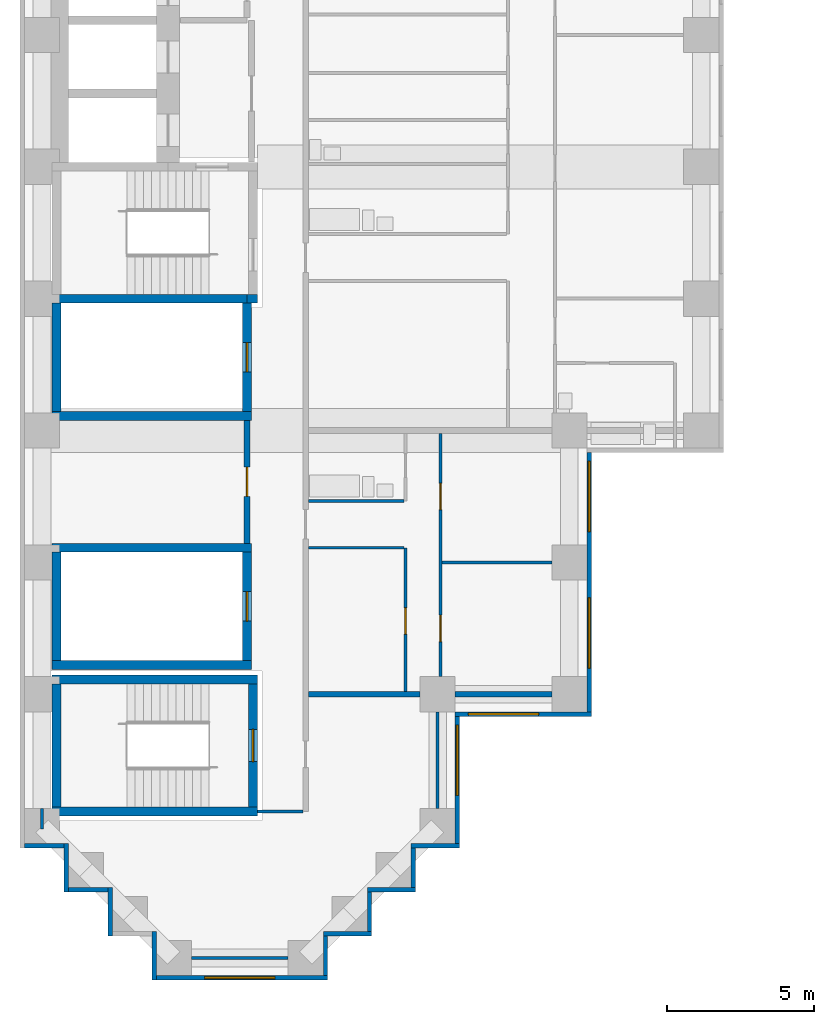
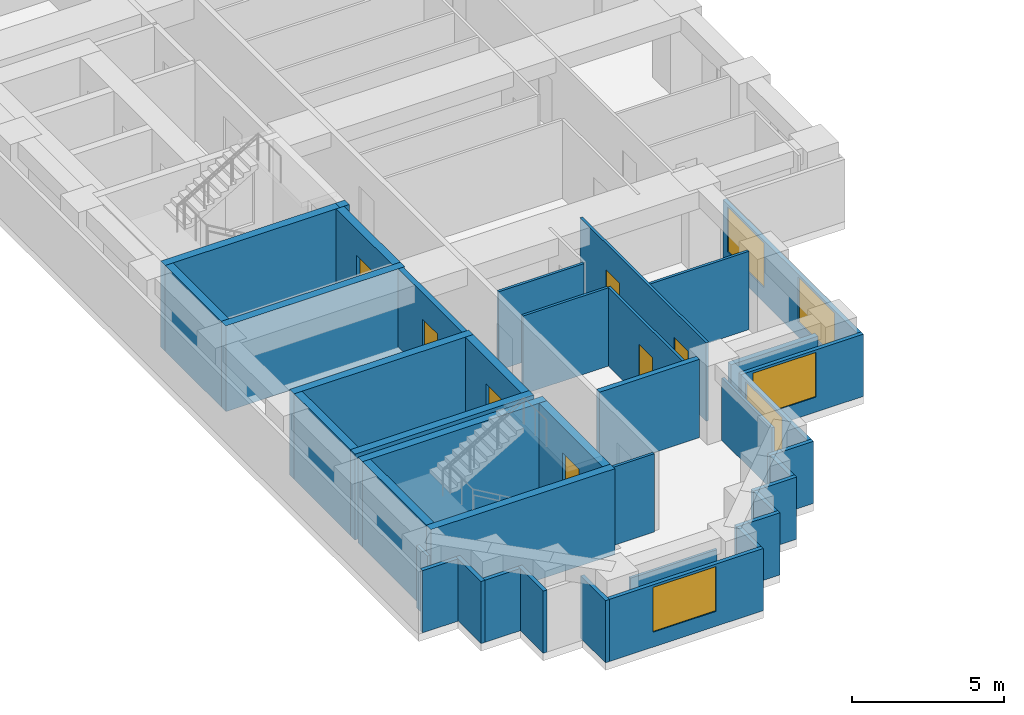
# One storey, part 2 of 13: 40 walls, 7 doors, 5 windows, 12 openings.
"""IFC4 building model written with IfcOpenShell, lengths in metres."""

from ifc_helpers import new_model, si_unit, direction, frame, frame_2d, origin, place, context, subcontext, project, spatial, rectangle, extrude, material, layer, layer_set, type_object, element, fill, save


model = new_model("IFC4")

# Units and contexts
model_context = context("Model", 3, precision=1e-05, world=origin(), true_north=direction((0.0, 1.0)))
body_context = subcontext(model_context, "Body", "Model", "MODEL_VIEW")
ifc_project = project(units=[si_unit("LENGTHUNIT", "METRE"), si_unit("AREAUNIT", "SQUARE_METRE"), si_unit("VOLUMEUNIT", "CUBIC_METRE"), si_unit("PLANEANGLEUNIT", "RADIAN"), si_unit("MASSUNIT", "GRAM", prefix="KILO")], contexts=[model_context])

# Site, building, storey
site_placement = place(None, origin())
site = spatial("IfcSite", under=ifc_project, at=site_placement, CompositionType="ELEMENT")
building_placement = place(site_placement, origin())
building = spatial("IfcBuilding", under=site, at=building_placement, Name="Firuza Court", CompositionType="ELEMENT")
storey_placement = place(building_placement, frame((0.0, 0.0, 104.60009765625)))
storey = spatial("IfcBuildingStorey", under=building, at=storey_placement, Name="L26", CompositionType="ELEMENT", Elevation=104.60009765625)

# Walls
ifc_material_1 = material(Name="Moisture-resistant gypsum board partition")
ifc_layer_1 = layer(ifc_material_1, 0.10009765625)
ifc_layer_set_1 = layer_set([ifc_layer_1], Name="Moisture-resistant gypsum board partition")
wall_type_1 = type_object("IfcWallType", Name="Bathroom partition 100", PredefinedType="PLUMBINGWALL", material=ifc_layer_set_1)
wall_1_placement = place(storey_placement, frame((9.10009765625, 15.60009765625, 0.0), z_axis=(0.0, 0.0, 1.0), x_axis=(1.0, 0.0, 0.0)))
element("IfcWall", 1, at=wall_1_placement, inside=storey, type_object=wall_type_1, Name="Bathroom partition 100 L26", PredefinedType="PLUMBINGWALL", context=body_context, shape_type="SweptSolid", body=[
    extrude(rectangle(XDim=3.25, YDim=0.10009765625, at=frame_2d((1.625, 0.0))), origin(), (0.0, 0.0, 1.0), 3.14990234375),
])
ifc_material_2 = material(Name="Concrete C60/75", Category="concrete")
ifc_layer_2 = layer(ifc_material_2, 0.300048828125)
ifc_layer_set_2 = layer_set([ifc_layer_2], Name="Concrete C60/75")
wall_type_2 = type_object("IfcWallType", Name="Core wall 300 C60/75", PredefinedType="SHEAR", material=ifc_layer_set_2)
for number, where, z_axis, x_axis, name in (
    (2, (0.35009765625, 5.0, -0.300048828125), (0.0, 0.0, 1.0), (1.0, 0.0, 0.0), "Core wall stair L26"),
    (3, (0.35009765625, 9.5, -0.300048828125), (0.0, 0.0, 1.0), (1.0, 0.0, 0.0), "Core wall stair L26"),
):
    element("IfcWall", number, at=place(storey_placement, frame(where, z_axis=z_axis, x_axis=x_axis)), inside=storey, type_object=wall_type_2, Name=name, PredefinedType="SHEAR", context=body_context, shape_type="SweptSolid", body=[
        extrude(rectangle(XDim=7.0, YDim=0.300048828125, at=frame_2d((3.5, 0.0))), origin(), (0.0, 0.0, 1.0), 3.449951171875),
    ])
for number, where, z_axis, x_axis, name in (
    (4, (0.35009765625, 10.0, -0.300048828125), (0.0, 0.0, 1.0), (1.0, 0.0, 0.0), "Core wall riser L26"),
    (5, (0.35009765625, 14.0, -0.300048828125), (0.0, 0.0, 1.0), (1.0, 0.0, 0.0), "Core wall riser L26"),
    (6, (0.35009765625, 18.5, -0.300048828125), (0.0, 0.0, 1.0), (1.0, 0.0, 0.0), "Core wall riser L26"),
):
    element("IfcWall", number, at=place(storey_placement, frame(where, z_axis=z_axis, x_axis=x_axis)), inside=storey, type_object=wall_type_2, Name=name, PredefinedType="SHEAR", context=body_context, shape_type="SweptSolid", body=[
        extrude(rectangle(XDim=6.7998046875, YDim=0.300048828125, at=frame_2d((3.39990234375, 0.0))), origin(), (0.0, 0.0, 1.0), 3.449951171875),
    ])
wall_2_placement = place(storey_placement, frame((0.35009765625, 22.5, -0.300048828125), z_axis=(0.0, 0.0, 1.0), x_axis=(1.0, 0.0, 0.0)))
element("IfcWall", 7, at=wall_2_placement, inside=storey, type_object=wall_type_2, Name="Core wall riser L26", PredefinedType="SHEAR", context=body_context, shape_type="SweptSolid", body=[
    extrude(rectangle(XDim=6.64990234375, YDim=0.300048828125, at=frame_2d((3.324951171875, 0.0))), origin(), (0.0, 0.0, 1.0), 3.449951171875),
])
wall_3_placement = place(storey_placement, frame((0.5, 5.14990234375, -0.300048828125), z_axis=(0.0, 0.0, 1.0), x_axis=(0.0, 1.0, 0.0)))
element("IfcWall", 8, at=wall_3_placement, inside=storey, type_object=wall_type_2, Name="Core wall stair L26", PredefinedType="SHEAR", context=body_context, shape_type="SweptSolid", body=[
    extrude(rectangle(XDim=4.2001953125, YDim=0.300048828125, at=frame_2d((2.10009765625, 0.0))), origin(), (0.0, 0.0, 1.0), 3.449951171875),
])
for number, where, z_axis, x_axis, name in (
    (9, (0.5, 10.14990234375, -0.300048828125), (0.0, 0.0, 1.0), (0.0, 1.0, 0.0), "Core wall riser L26"),
    (10, (0.5, 18.64990234375, -0.300048828125), (0.0, 0.0, 1.0), (0.0, 1.0, 0.0), "Core wall riser L26"),
):
    element("IfcWall", number, at=place(storey_placement, frame(where, z_axis=z_axis, x_axis=x_axis)), inside=storey, type_object=wall_type_2, Name=name, PredefinedType="SHEAR", context=body_context, shape_type="SweptSolid", body=[
        extrude(rectangle(XDim=3.7001953125, YDim=0.300048828125, at=frame_2d((1.85009765625, 0.0))), origin(), (0.0, 0.0, 1.0), 3.449951171875),
    ])

# Wall, opening, door
wall_4_placement = place(storey_placement, frame((7.0, 10.14990234375, -0.300048828125), z_axis=(0.0, 0.0, 1.0), x_axis=(0.0, 1.0, 0.0)))
wall_4 = element("IfcWall", 11, at=wall_4_placement, inside=storey, type_object=wall_type_2, Name="Core wall riser L26", PredefinedType="SHEAR", context=body_context, shape_type="SweptSolid", body=[
    extrude(rectangle(XDim=3.7001953125, YDim=0.300048828125, at=frame_2d((1.85009765625, 0.0))), origin(), (0.0, 0.0, 1.0), 3.449951171875),
])
opening_1_placement = place(wall_4_placement, frame((1.35009765625, 0.0, 0.300048828125)))
opening_1 = element("IfcOpeningElement", 12, at=opening_1_placement, cuts=wall_4, Name="Opening D26012", PredefinedType="OPENING", context=body_context, shape_type="SweptSolid", body=[
    extrude(rectangle(XDim=1.0, YDim=2.10009765625, at=frame_2d((0.5, 1.050048828125))), frame((0.0, 0.162109375, 0.0), z_axis=(0.0, -1.0, 0.0), x_axis=(1.0, 0.0, 0.0)), (0.0, 0.0, 1.0), 0.323974609375),
])
ifc_material_3 = material(Name="Timber door leaf in hardwood frame", Category="wood")
door_type_1 = type_object("IfcDoorType", Name="Riser door 1000", OperationType="SINGLE_SWING_LEFT", PredefinedType="DOOR", material=ifc_material_3)
door_1_placement = place(opening_1_placement, origin())
door_1 = element("IfcDoor", 13, at=door_1_placement, inside=storey, type_object=door_type_1, Name="Riser door R4", OperationType="SINGLE_SWING_LEFT", OverallHeight=2.10009765625, OverallWidth=1.0, PredefinedType="DOOR", context=body_context, shape_type="SweptSolid", body=[
    extrude(rectangle(XDim=1.0, YDim=2.10009765625, at=frame_2d((0.5, 1.050048828125))), frame((0.0, 0.02490234375, 0.0), z_axis=(0.0, -1.0, 0.0), x_axis=(1.0, 0.0, 0.0)), (0.0, 0.0, 1.0), 0.050048828125),
])
fill(opening_1, door_1)

wall_5_placement = place(storey_placement, frame((7.0, 18.64990234375, -0.300048828125), z_axis=(0.0, 0.0, 1.0), x_axis=(0.0, 1.0, 0.0)))
wall_5 = element("IfcWall", 14, at=wall_5_placement, inside=storey, type_object=wall_type_2, Name="Core wall riser L26", PredefinedType="SHEAR", context=body_context, shape_type="SweptSolid", body=[
    extrude(rectangle(XDim=3.7001953125, YDim=0.300048828125, at=frame_2d((1.85009765625, 0.0))), origin(), (0.0, 0.0, 1.0), 3.449951171875),
])
opening_2_placement = place(wall_5_placement, frame((1.35009765625, 0.0, 0.300048828125)))
opening_2 = element("IfcOpeningElement", 15, at=opening_2_placement, cuts=wall_5, Name="Opening D26010", PredefinedType="OPENING", context=body_context, shape_type="SweptSolid", body=[
    extrude(rectangle(XDim=1.0, YDim=2.10009765625, at=frame_2d((0.5, 1.050048828125))), frame((0.0, 0.162109375, 0.0), z_axis=(0.0, -1.0, 0.0), x_axis=(1.0, 0.0, 0.0)), (0.0, 0.0, 1.0), 0.323974609375),
])
door_2_placement = place(opening_2_placement, origin())
door_2 = element("IfcDoor", 16, at=door_2_placement, inside=storey, type_object=door_type_1, Name="Riser door R1", OperationType="SINGLE_SWING_LEFT", OverallHeight=2.10009765625, OverallWidth=1.0, PredefinedType="DOOR", context=body_context, shape_type="SweptSolid", body=[
    extrude(rectangle(XDim=1.0, YDim=2.10009765625, at=frame_2d((0.5, 1.050048828125))), frame((0.0, 0.02490234375, 0.0), z_axis=(0.0, -1.0, 0.0), x_axis=(1.0, 0.0, 0.0)), (0.0, 0.0, 1.0), 0.050048828125),
])
fill(opening_2, door_2)

# Wall
wall_6_placement = place(storey_placement, frame((7.0, 22.5, -0.300048828125), z_axis=(0.0, 0.0, 1.0), x_axis=(1.0, 0.0, 0.0)))
element("IfcWall", 17, at=wall_6_placement, inside=storey, type_object=wall_type_2, Name="Core wall stair L26", PredefinedType="SHEAR", context=body_context, shape_type="SweptSolid", body=[
    extrude(rectangle(XDim=0.35009765625, YDim=0.300048828125, at=frame_2d((0.175048828125, 0.0))), origin(), (0.0, 0.0, 1.0), 3.449951171875),
])

# Wall, opening, door
wall_7_placement = place(storey_placement, frame((7.199951171875, 5.14990234375, -0.300048828125), z_axis=(0.0, 0.0, 1.0), x_axis=(0.0, 1.0, 0.0)))
wall_7 = element("IfcWall", 18, at=wall_7_placement, inside=storey, type_object=wall_type_2, Name="Core wall stair L26", PredefinedType="SHEAR", context=body_context, shape_type="SweptSolid", body=[
    extrude(rectangle(XDim=4.2001953125, YDim=0.300048828125, at=frame_2d((2.10009765625, 0.0))), origin(), (0.0, 0.0, 1.0), 3.449951171875),
])
opening_3_placement = place(wall_7_placement, frame((1.550048828125, 0.0, 0.300048828125)))
opening_3 = element("IfcOpeningElement", 19, at=opening_3_placement, cuts=wall_7, Name="Opening D26018", PredefinedType="OPENING", context=body_context, shape_type="SweptSolid", body=[
    extrude(rectangle(XDim=1.10009765625, YDim=2.10009765625, at=frame_2d((0.550048828125, 1.050048828125))), frame((0.0, 0.162109375, 0.0), z_axis=(0.0, -1.0, 0.0), x_axis=(1.0, 0.0, 0.0)), (0.0, 0.0, 1.0), 0.323974609375),
])
ifc_material_4 = material(Name="Timber door leaf in hardwood frame", Category="wood")
door_type_2 = type_object("IfcDoorType", Name="Stair door 1100", OperationType="SINGLE_SWING_LEFT", PredefinedType="DOOR", material=ifc_material_4)
door_3_placement = place(opening_3_placement, origin())
door_3 = element("IfcDoor", 20, at=door_3_placement, inside=storey, type_object=door_type_2, Name="Stair door S5", OperationType="SINGLE_SWING_LEFT", OverallHeight=2.10009765625, OverallWidth=1.10009765625, PredefinedType="DOOR", context=body_context, shape_type="SweptSolid", body=[
    extrude(rectangle(XDim=1.10009765625, YDim=2.10009765625, at=frame_2d((0.550048828125, 1.050048828125))), frame((0.0, 0.02490234375, 0.0), z_axis=(0.0, -1.0, 0.0), x_axis=(1.0, 0.0, 0.0)), (0.0, 0.0, 1.0), 0.050048828125),
])
fill(opening_3, door_3)

ifc_material_5 = material(Name="Blockwork, plastered both sides", Category="masonry")
ifc_layer_3 = layer(ifc_material_5, 0.199951171875)
ifc_layer_set_3 = layer_set([ifc_layer_3], Name="Blockwork, plastered both sides")
wall_type_3 = type_object("IfcWallType", Name="Corridor wall 200", PredefinedType="PARTITIONING", material=ifc_layer_set_3)
wall_8_placement = place(storey_placement, frame((7.0, 14.14990234375, 0.0), z_axis=(0.0, 0.0, 1.0), x_axis=(0.0, 1.0, 0.0)))
wall_8 = element("IfcWall", 21, at=wall_8_placement, inside=storey, type_object=wall_type_3, Name="Corridor wall 200 L26", PredefinedType="PARTITIONING", context=body_context, shape_type="SweptSolid", body=[
    extrude(rectangle(XDim=4.2001953125, YDim=0.199951171875, at=frame_2d((2.10009765625, 0.0))), origin(), (0.0, 0.0, 1.0), 3.14990234375),
])
opening_4_placement = place(wall_8_placement, frame((1.60009765625, 0.0, 0.0)))
opening_4 = element("IfcOpeningElement", 22, at=opening_4_placement, cuts=wall_8, Name="Opening D26026", PredefinedType="OPENING", context=body_context, shape_type="SweptSolid", body=[
    extrude(rectangle(XDim=1.0, YDim=2.10009765625, at=frame_2d((0.5, 1.050048828125))), frame((0.0, 0.11181640625, 0.0), z_axis=(0.0, -1.0, 0.0), x_axis=(1.0, 0.0, 0.0)), (0.0, 0.0, 1.0), 0.223876953125),
])
ifc_material_6 = material(Name="Timber door leaf in hardwood frame", Category="wood")
door_type_3 = type_object("IfcDoorType", Name="Store door 1000", OperationType="SINGLE_SWING_LEFT", PredefinedType="DOOR", material=ifc_material_6)
door_4_placement = place(opening_4_placement, origin())
door_4 = element("IfcDoor", 23, at=door_4_placement, inside=storey, type_object=door_type_3, Name="Parcel room door", OperationType="SINGLE_SWING_LEFT", OverallHeight=2.10009765625, OverallWidth=1.0, PredefinedType="DOOR", context=body_context, shape_type="SweptSolid", body=[
    extrude(rectangle(XDim=1.0, YDim=2.10009765625, at=frame_2d((0.5, 1.050048828125))), frame((0.0, 0.02490234375, 0.0), z_axis=(0.0, -1.0, 0.0), x_axis=(1.0, 0.0, 0.0)), (0.0, 0.0, 1.0), 0.050048828125),
])
fill(opening_4, door_4)

# Walls
ifc_material_7 = material(Name="Timber stud partition, plasterboard both sides", Category="wood")
ifc_layer_4 = layer(ifc_material_7, 0.10009765625)
ifc_layer_set_4 = layer_set([ifc_layer_4], Name="Timber stud partition, plasterboard both sides")
wall_type_4 = type_object("IfcWallType", Name="Partition wall 100", PredefinedType="PARTITIONING", material=ifc_layer_set_4)
wall_9_placement = place(storey_placement, frame((5.10009765625, 0.0, 0.0), z_axis=(0.0, 0.0, 1.0), x_axis=(1.0, 0.0, 0.0)))
element("IfcWall", 24, at=wall_9_placement, inside=storey, type_object=wall_type_4, Name="Partition wall 100 L26", PredefinedType="PARTITIONING", context=body_context, shape_type="SweptSolid", body=[
    extrude(rectangle(XDim=3.2998046875, YDim=0.10009765625, at=frame_2d((1.64990234375, 0.0))), origin(), (0.0, 0.0, 1.0), 2.5),
])
wall_10_placement = place(storey_placement, frame((0.0, 4.39990234375, 0.0), z_axis=(0.0, 0.0, 1.0), x_axis=(0.0, 1.0, 0.0)))
element("IfcWall", 25, at=wall_10_placement, inside=storey, type_object=wall_type_4, Name="Partition wall 100 L26", PredefinedType="PARTITIONING", context=body_context, shape_type="SweptSolid", body=[
    extrude(rectangle(XDim=0.7001953125, YDim=0.10009765625, at=frame_2d((0.35009765625, 0.0))), origin(), (0.0, 0.0, 1.0), 2.5),
])
wall_11_placement = place(storey_placement, frame((7.34912109375, 5.0, 0.0), z_axis=(0.0, 0.0, 1.0), x_axis=(1.0, 0.0, 0.0)))
element("IfcWall", 26, at=wall_11_placement, inside=storey, type_object=wall_type_4, Name="Partition wall 100 L26", PredefinedType="PARTITIONING", context=body_context, shape_type="SweptSolid", body=[
    extrude(rectangle(XDim=1.55078125, YDim=0.10009765625, at=frame_2d((0.775390625, 0.0))), origin(), (0.0, 0.0, 1.0), 3.14990234375),
])
wall_12_placement = place(storey_placement, frame((13.5, 5.10009765625, 0.0), z_axis=(0.0, 0.0, 1.0), x_axis=(0.0, 1.0, 0.0)))
element("IfcWall", 27, at=wall_12_placement, inside=storey, type_object=wall_type_4, Name="Partition wall 100 L26", PredefinedType="PARTITIONING", context=body_context, shape_type="SweptSolid", body=[
    extrude(rectangle(XDim=3.2998046875, YDim=0.10009765625, at=frame_2d((1.64990234375, 0.0))), origin(), (0.0, 0.0, 1.0), 2.5),
])

# Wall, opening, door
wall_13_placement = place(storey_placement, frame((12.39990234375, 9.10009765625, 0.0), z_axis=(0.0, 0.0, 1.0), x_axis=(0.0, 1.0, 0.0)))
wall_13 = element("IfcWall", 28, at=wall_13_placement, inside=storey, type_object=wall_type_4, Name="Partition wall 100 L26", PredefinedType="PARTITIONING", context=body_context, shape_type="SweptSolid", body=[
    extrude(rectangle(XDim=4.89990234375, YDim=0.10009765625, at=frame_2d((2.449951171875, 0.0))), origin(), (0.0, 0.0, 1.0), 3.14990234375),
])
opening_5_placement = place(wall_13_placement, frame((1.949951171875, 0.0, 0.0)))
opening_5 = element("IfcOpeningElement", 29, at=opening_5_placement, cuts=wall_13, Name="Opening D26023", PredefinedType="OPENING", context=body_context, shape_type="SweptSolid", body=[
    extrude(rectangle(XDim=0.89990234375, YDim=2.10009765625, at=frame_2d((0.449951171875, 1.050048828125))), frame((0.0, 0.06201171875, 0.0), z_axis=(0.0, -1.0, 0.0), x_axis=(1.0, 0.0, 0.0)), (0.0, 0.0, 1.0), 0.1240234375),
])
ifc_material_8 = material(Name="Timber door leaf in hardwood frame", Category="wood")
door_type_4 = type_object("IfcDoorType", Name="Room door 900", OperationType="SINGLE_SWING_LEFT", PredefinedType="DOOR", material=ifc_material_8)
door_5_placement = place(opening_5_placement, origin())
door_5 = element("IfcDoor", 30, at=door_5_placement, inside=storey, type_object=door_type_4, Name="Kitchen door", OperationType="SINGLE_SWING_LEFT", OverallHeight=2.10009765625, OverallWidth=0.89990234375, PredefinedType="DOOR", context=body_context, shape_type="SweptSolid", body=[
    extrude(rectangle(XDim=0.89990234375, YDim=2.10009765625, at=frame_2d((0.449951171875, 1.050048828125))), frame((0.0, 0.02490234375, 0.0), z_axis=(0.0, -1.0, 0.0), x_axis=(1.0, 0.0, 0.0)), (0.0, 0.0, 1.0), 0.050048828125),
])
fill(opening_5, door_5)

# Wall, openings, doors
wall_14_placement = place(storey_placement, frame((13.60009765625, 9.60009765625, 0.0), z_axis=(0.0, 0.0, 1.0), x_axis=(0.0, 1.0, 0.0)))
wall_14 = element("IfcWall", 31, at=wall_14_placement, inside=storey, type_object=wall_type_4, Name="Partition wall 100 L26", PredefinedType="PARTITIONING", context=body_context, shape_type="SweptSolid", body=[
    extrude(rectangle(XDim=8.2998046875, YDim=0.10009765625, at=frame_2d((4.14990234375, 0.0))), origin(), (0.0, 0.0, 1.0), 3.14990234375),
])
opening_6_placement = place(wall_14_placement, frame((1.199951171875, 0.0, 0.0)))
opening_6 = element("IfcOpeningElement", 32, at=opening_6_placement, cuts=wall_14, Name="Opening D26024", PredefinedType="OPENING", context=body_context, shape_type="SweptSolid", body=[
    extrude(rectangle(XDim=0.89990234375, YDim=2.10009765625, at=frame_2d((0.449951171875, 1.050048828125))), frame((0.0, 0.06201171875, 0.0), z_axis=(0.0, -1.0, 0.0), x_axis=(1.0, 0.0, 0.0)), (0.0, 0.0, 1.0), 0.1240234375),
])
opening_7_placement = place(wall_14_placement, frame((5.699951171875, 0.0, 0.0)))
opening_7 = element("IfcOpeningElement", 33, at=opening_7_placement, cuts=wall_14, Name="Opening D26025", PredefinedType="OPENING", context=body_context, shape_type="SweptSolid", body=[
    extrude(rectangle(XDim=0.89990234375, YDim=2.10009765625, at=frame_2d((0.449951171875, 1.050048828125))), frame((0.0, 0.06201171875, 0.0), z_axis=(0.0, -1.0, 0.0), x_axis=(1.0, 0.0, 0.0)), (0.0, 0.0, 1.0), 0.1240234375),
])
door_6_placement = place(opening_6_placement, frame((0.89990234375, 0.0, 0.0), z_axis=(0.0, 0.0, 1.0), x_axis=(-1.0, 0.0, 0.0)))
door_6 = element("IfcDoor", 34, at=door_6_placement, inside=storey, type_object=door_type_4, Name="Living room door", OperationType="SINGLE_SWING_RIGHT", OverallHeight=2.10009765625, OverallWidth=0.89990234375, PredefinedType="DOOR", context=body_context, shape_type="SweptSolid", body=[
    extrude(rectangle(XDim=0.89990234375, YDim=2.10009765625, at=frame_2d((0.449951171875, 1.050048828125))), frame((0.0, 0.02490234375, 0.0), z_axis=(0.0, -1.0, 0.0), x_axis=(1.0, 0.0, 0.0)), (0.0, 0.0, 1.0), 0.050048828125),
])
fill(opening_6, door_6)
door_7_placement = place(opening_7_placement, frame((0.89990234375, 0.0, 0.0), z_axis=(0.0, 0.0, 1.0), x_axis=(-1.0, 0.0, 0.0)))
door_7 = element("IfcDoor", 35, at=door_7_placement, inside=storey, type_object=door_type_4, Name="Bedroom door", OperationType="SINGLE_SWING_RIGHT", OverallHeight=2.10009765625, OverallWidth=0.89990234375, PredefinedType="DOOR", context=body_context, shape_type="SweptSolid", body=[
    extrude(rectangle(XDim=0.89990234375, YDim=2.10009765625, at=frame_2d((0.449951171875, 1.050048828125))), frame((0.0, 0.02490234375, 0.0), z_axis=(0.0, -1.0, 0.0), x_axis=(1.0, 0.0, 0.0)), (0.0, 0.0, 1.0), 0.050048828125),
])
fill(opening_7, door_7)

# Walls
wall_15_placement = place(storey_placement, frame((13.64990234375, 13.5, 0.0), z_axis=(0.0, 0.0, 1.0), x_axis=(1.0, 0.0, 0.0)))
element("IfcWall", 36, at=wall_15_placement, inside=storey, type_object=wall_type_4, Name="Partition wall 100 L26", PredefinedType="PARTITIONING", context=body_context, shape_type="SweptSolid", body=[
    extrude(rectangle(XDim=3.75, YDim=0.10009765625, at=frame_2d((1.875, 0.0))), origin(), (0.0, 0.0, 1.0), 3.14990234375),
])
wall_16_placement = place(storey_placement, frame((9.10009765625, 14.0, 0.0), z_axis=(0.0, 0.0, 1.0), x_axis=(1.0, 0.0, 0.0)))
element("IfcWall", 37, at=wall_16_placement, inside=storey, type_object=wall_type_4, Name="Partition wall 100 L26", PredefinedType="PARTITIONING", context=body_context, shape_type="SweptSolid", body=[
    extrude(rectangle(XDim=3.25, YDim=0.10009765625, at=frame_2d((1.625, 0.0))), origin(), (0.0, 0.0, 1.0), 3.14990234375),
])
ifc_layer_5 = layer(ifc_material_5, 0.199951171875)
ifc_layer_set_5 = layer_set([ifc_layer_5], Name="Blockwork, plastered both sides")
wall_type_5 = type_object("IfcWallType", Name="Party wall 200", PredefinedType="PARTITIONING", material=ifc_layer_set_5)
wall_17_placement = place(storey_placement, frame((9.10009765625, 9.0, 0.0), z_axis=(0.0, 0.0, 1.0), x_axis=(1.0, 0.0, 0.0)))
element("IfcWall", 38, at=wall_17_placement, inside=storey, type_object=wall_type_5, Name="Party wall 200 L26", PredefinedType="PARTITIONING", context=body_context, shape_type="SweptSolid", body=[
    extrude(rectangle(XDim=3.7998046875, YDim=0.199951171875, at=frame_2d((1.89990234375, 0.0))), origin(), (0.0, 0.0, 1.0), 3.14990234375),
])
wall_18_placement = place(storey_placement, frame((14.10009765625, 9.0, 0.0), z_axis=(0.0, 0.0, 1.0), x_axis=(1.0, 0.0, 0.0)))
element("IfcWall", 39, at=wall_18_placement, inside=storey, type_object=wall_type_5, Name="Party wall 200 L26", PredefinedType="PARTITIONING", context=body_context, shape_type="SweptSolid", body=[
    extrude(rectangle(XDim=3.2998046875, YDim=0.199951171875, at=frame_2d((1.64990234375, 0.0))), origin(), (0.0, 0.0, 1.0), 2.5),
])
ifc_material_9 = material(Name="Ceramic tile", Category="ceramic")
ifc_layer_6 = layer(ifc_material_9, 0.02001953125)
ifc_material_10 = material(Name="Mineral wool insulation", Category="insulation")
ifc_layer_7 = layer(ifc_material_10, 0.050048828125)
ifc_material_11 = material(Name="Concrete C40/50 precast", Category="concrete")
ifc_layer_8 = layer(ifc_material_11, 0.080078125)
ifc_layer_set_6 = layer_set([ifc_layer_6, ifc_layer_7, ifc_layer_8], Name="Concrete C40/50 precast")
wall_type_6 = type_object("IfcWallType", Name="Precast cladding wall with turquoise TILE PANEL face 150", PredefinedType="STANDARD", material=ifc_layer_set_6)
wall_19_placement = place(storey_placement, frame((9.675048828125, -0.60009765625, 0.0), z_axis=(0.0, 0.0, 1.0), x_axis=(0.0, 1.0, 0.0)))
element("IfcWall", 40, at=wall_19_placement, inside=storey, type_object=wall_type_6, Name="Facade wall L26 E", PredefinedType="STANDARD", context=body_context, shape_type="SweptSolid", body=[
    extrude(rectangle(XDim=1.35009765625, YDim=0.14990234375, at=frame_2d((0.675048828125, 0.0))), origin(), (0.0, 0.0, 1.0), 2.5),
])
wall_20_placement = place(storey_placement, frame((9.60009765625, 0.824951171875, 0.0), z_axis=(0.0, 0.0, 1.0), x_axis=(1.0, 0.0, 0.0)))
element("IfcWall", 41, at=wall_20_placement, inside=storey, type_object=wall_type_6, Name="Facade wall L26 S", PredefinedType="STANDARD", context=body_context, shape_type="SweptSolid", body=[
    extrude(rectangle(XDim=1.64990234375, YDim=0.14990234375, at=frame_2d((0.824951171875, 0.0))), origin(), (0.0, 0.0, 1.0), 2.5),
])
wall_21_placement = place(storey_placement, frame((11.175048828125, 0.89990234375, 0.0), z_axis=(0.0, 0.0, 1.0), x_axis=(0.0, 1.0, 0.0)))
element("IfcWall", 42, at=wall_21_placement, inside=storey, type_object=wall_type_6, Name="Facade wall L26 E", PredefinedType="STANDARD", context=body_context, shape_type="SweptSolid", body=[
    extrude(rectangle(XDim=1.35009765625, YDim=0.14990234375, at=frame_2d((0.675048828125, 0.0))), origin(), (0.0, 0.0, 1.0), 2.5),
])
wall_22_placement = place(storey_placement, frame((11.10009765625, 2.324951171875, 0.0), z_axis=(0.0, 0.0, 1.0), x_axis=(1.0, 0.0, 0.0)))
element("IfcWall", 43, at=wall_22_placement, inside=storey, type_object=wall_type_6, Name="Facade wall L26 S", PredefinedType="STANDARD", context=body_context, shape_type="SweptSolid", body=[
    extrude(rectangle(XDim=1.64990234375, YDim=0.14990234375, at=frame_2d((0.824951171875, 0.0))), origin(), (0.0, 0.0, 1.0), 2.5),
])
wall_23_placement = place(storey_placement, frame((12.675048828125, 2.39990234375, 0.0), z_axis=(0.0, 0.0, 1.0), x_axis=(0.0, 1.0, 0.0)))
element("IfcWall", 44, at=wall_23_placement, inside=storey, type_object=wall_type_6, Name="Facade wall L26 E", PredefinedType="STANDARD", context=body_context, shape_type="SweptSolid", body=[
    extrude(rectangle(XDim=1.35009765625, YDim=0.14990234375, at=frame_2d((0.675048828125, 0.0))), origin(), (0.0, 0.0, 1.0), 2.5),
])
wall_24_placement = place(storey_placement, frame((12.60009765625, 3.824951171875, 0.0), z_axis=(0.0, 0.0, 1.0), x_axis=(1.0, 0.0, 0.0)))
element("IfcWall", 45, at=wall_24_placement, inside=storey, type_object=wall_type_6, Name="Facade wall L26 S", PredefinedType="STANDARD", context=body_context, shape_type="SweptSolid", body=[
    extrude(rectangle(XDim=1.64990234375, YDim=0.14990234375, at=frame_2d((0.824951171875, 0.0))), origin(), (0.0, 0.0, 1.0), 2.5),
])

# Wall, opening, window
wall_25_placement = place(storey_placement, frame((14.175048828125, 3.89990234375, 0.0), z_axis=(0.0, 0.0, 1.0), x_axis=(0.0, 1.0, 0.0)))
wall_25 = element("IfcWall", 46, at=wall_25_placement, inside=storey, type_object=wall_type_6, Name="Facade wall L26 E", PredefinedType="STANDARD", context=body_context, shape_type="SweptSolid", body=[
    extrude(rectangle(XDim=4.35009765625, YDim=0.14990234375, at=frame_2d((2.175048828125, 0.0))), origin(), (0.0, 0.0, 1.0), 2.5),
])
opening_8_placement = place(wall_25_placement, frame((1.64990234375, 0.0, 0.60009765625)))
opening_8 = element("IfcOpeningElement", 47, at=opening_8_placement, cuts=wall_25, Name="Opening W1", PredefinedType="OPENING", context=body_context, shape_type="SweptSolid", body=[
    extrude(rectangle(XDim=2.39990234375, YDim=1.800048828125, at=frame_2d((1.199951171875, 0.89990234375))), frame((0.0, 0.0869140625, 0.0), z_axis=(0.0, -1.0, 0.0), x_axis=(1.0, 0.0, 0.0)), (0.0, 0.0, 1.0), 0.173828125),
])
ifc_material_12 = material(Name="Aluminium frame, triple clear glazing", Category="aluminium")
window_type = type_object("IfcWindowType", Name="Window W1 2400 x 1800", PartitioningType="SINGLE_PANEL", PredefinedType="WINDOW", material=ifc_material_12)
window_1_placement = place(opening_8_placement, origin())
window_1 = element("IfcWindow", 48, at=window_1_placement, inside=storey, type_object=window_type, Name="Window L26", OverallHeight=1.800048828125, OverallWidth=2.39990234375, PartitioningType="SINGLE_PANEL", PredefinedType="WINDOW", context=body_context, shape_type="SweptSolid", body=[
    extrude(rectangle(XDim=2.39990234375, YDim=1.800048828125, at=frame_2d((1.199951171875, 0.89990234375))), frame((0.0, 0.030029296875, 0.0), z_axis=(0.0, -1.0, 0.0), x_axis=(1.0, 0.0, 0.0)), (0.0, 0.0, 1.0), 0.06005859375),
])
fill(opening_8, window_1)

wall_26_placement = place(storey_placement, frame((14.10009765625, 8.324951171875, 0.0), z_axis=(0.0, 0.0, 1.0), x_axis=(1.0, 0.0, 0.0)))
wall_26 = element("IfcWall", 49, at=wall_26_placement, inside=storey, type_object=wall_type_6, Name="Facade wall L26 S", PredefinedType="STANDARD", context=body_context, shape_type="SweptSolid", body=[
    extrude(rectangle(XDim=4.64990234375, YDim=0.14990234375, at=frame_2d((2.324951171875, 0.0))), origin(), (0.0, 0.0, 1.0), 2.5),
])
opening_9_placement = place(wall_26_placement, frame((0.449951171875, 0.0, 0.60009765625)))
opening_9 = element("IfcOpeningElement", 50, at=opening_9_placement, cuts=wall_26, Name="Opening W1", PredefinedType="OPENING", context=body_context, shape_type="SweptSolid", body=[
    extrude(rectangle(XDim=2.39990234375, YDim=1.800048828125, at=frame_2d((1.199951171875, 0.89990234375))), frame((0.0, 0.0869140625, 0.0), z_axis=(0.0, -1.0, 0.0), x_axis=(1.0, 0.0, 0.0)), (0.0, 0.0, 1.0), 0.173828125),
])
window_2_placement = place(opening_9_placement, origin())
window_2 = element("IfcWindow", 51, at=window_2_placement, inside=storey, type_object=window_type, Name="Window L26", OverallHeight=1.800048828125, OverallWidth=2.39990234375, PartitioningType="SINGLE_PANEL", PredefinedType="WINDOW", context=body_context, shape_type="SweptSolid", body=[
    extrude(rectangle(XDim=2.39990234375, YDim=1.800048828125, at=frame_2d((1.199951171875, 0.89990234375))), frame((0.0, 0.030029296875, 0.0), z_axis=(0.0, -1.0, 0.0), x_axis=(1.0, 0.0, 0.0)), (0.0, 0.0, 1.0), 0.06005859375),
])
fill(opening_9, window_2)

# Wall, openings, windows
wall_27_placement = place(storey_placement, frame((18.675048828125, 8.39990234375, 0.0), z_axis=(0.0, 0.0, 1.0), x_axis=(0.0, 1.0, 0.0)))
wall_27 = element("IfcWall", 52, at=wall_27_placement, inside=storey, type_object=wall_type_6, Name="Facade wall L26 E", PredefinedType="STANDARD", context=body_context, shape_type="SweptSolid", body=[
    extrude(rectangle(XDim=8.85009765625, YDim=0.14990234375, at=frame_2d((4.425048828125, 0.0))), origin(), (0.0, 0.0, 1.0), 2.5),
])
opening_10_placement = place(wall_27_placement, frame((1.49267578125, 0.0, 0.60009765625)))
opening_10 = element("IfcOpeningElement", 53, at=opening_10_placement, cuts=wall_27, Name="Opening W1", PredefinedType="OPENING", context=body_context, shape_type="SweptSolid", body=[
    extrude(rectangle(XDim=2.39990234375, YDim=1.800048828125, at=frame_2d((1.199951171875, 0.89990234375))), frame((0.0, 0.0869140625, 0.0), z_axis=(0.0, -1.0, 0.0), x_axis=(1.0, 0.0, 0.0)), (0.0, 0.0, 1.0), 0.173828125),
])
opening_11_placement = place(wall_27_placement, frame((6.14990234375, 0.0, 0.60009765625)))
opening_11 = element("IfcOpeningElement", 54, at=opening_11_placement, cuts=wall_27, Name="Opening W1", PredefinedType="OPENING", context=body_context, shape_type="SweptSolid", body=[
    extrude(rectangle(XDim=2.39990234375, YDim=1.800048828125, at=frame_2d((1.199951171875, 0.89990234375))), frame((0.0, 0.0869140625, 0.0), z_axis=(0.0, -1.0, 0.0), x_axis=(1.0, 0.0, 0.0)), (0.0, 0.0, 1.0), 0.173828125),
])
window_3_placement = place(opening_10_placement, origin())
window_3 = element("IfcWindow", 55, at=window_3_placement, inside=storey, type_object=window_type, Name="Window L26", OverallHeight=1.800048828125, OverallWidth=2.39990234375, PartitioningType="SINGLE_PANEL", PredefinedType="WINDOW", context=body_context, shape_type="SweptSolid", body=[
    extrude(rectangle(XDim=2.39990234375, YDim=1.800048828125, at=frame_2d((1.199951171875, 0.89990234375))), frame((0.0, 0.030029296875, 0.0), z_axis=(0.0, -1.0, 0.0), x_axis=(1.0, 0.0, 0.0)), (0.0, 0.0, 1.0), 0.06005859375),
])
fill(opening_10, window_3)
window_4_placement = place(opening_11_placement, origin())
window_4 = element("IfcWindow", 56, at=window_4_placement, inside=storey, type_object=window_type, Name="Window L26", OverallHeight=1.800048828125, OverallWidth=2.39990234375, PartitioningType="SINGLE_PANEL", PredefinedType="WINDOW", context=body_context, shape_type="SweptSolid", body=[
    extrude(rectangle(XDim=2.39990234375, YDim=1.800048828125, at=frame_2d((1.199951171875, 0.89990234375))), frame((0.0, 0.030029296875, 0.0), z_axis=(0.0, -1.0, 0.0), x_axis=(1.0, 0.0, 0.0)), (0.0, 0.0, 1.0), 0.06005859375),
])
fill(opening_11, window_4)

# Walls
wall_28_placement = place(storey_placement, frame((-0.60009765625, 3.824951171875, 0.0), z_axis=(0.0, 0.0, 1.0), x_axis=(1.0, 0.0, 0.0)))
element("IfcWall", 57, at=wall_28_placement, inside=storey, type_object=wall_type_6, Name="Facade wall L26 S", PredefinedType="STANDARD", context=body_context, shape_type="SweptSolid", body=[
    extrude(rectangle(XDim=1.35009765625, YDim=0.14990234375, at=frame_2d((0.675048828125, 0.0))), origin(), (0.0, 0.0, 1.0), 2.5),
])
wall_29_placement = place(storey_placement, frame((0.824951171875, 3.89990234375, 0.0), z_axis=(0.0, 0.0, 1.0), x_axis=(0.0, -1.0, 0.0)))
element("IfcWall", 58, at=wall_29_placement, inside=storey, type_object=wall_type_6, Name="Facade wall L26 W", PredefinedType="STANDARD", context=body_context, shape_type="SweptSolid", body=[
    extrude(rectangle(XDim=1.64990234375, YDim=0.14990234375, at=frame_2d((0.824951171875, 0.0))), origin(), (0.0, 0.0, 1.0), 2.5),
])
wall_30_placement = place(storey_placement, frame((0.89990234375, 2.324951171875, 0.0), z_axis=(0.0, 0.0, 1.0), x_axis=(1.0, 0.0, 0.0)))
element("IfcWall", 59, at=wall_30_placement, inside=storey, type_object=wall_type_6, Name="Facade wall L26 S", PredefinedType="STANDARD", context=body_context, shape_type="SweptSolid", body=[
    extrude(rectangle(XDim=1.35009765625, YDim=0.14990234375, at=frame_2d((0.675048828125, 0.0))), origin(), (0.0, 0.0, 1.0), 2.5),
])
for number, where, z_axis, x_axis, name in (
    (60, (2.324951171875, 2.39990234375, 0.0), (0.0, 0.0, 1.0), (0.0, -1.0, 0.0), "Facade wall L26 W"),
    (61, (3.824951171875, 0.89990234375, 0.0), (0.0, 0.0, 1.0), (0.0, -1.0, 0.0), "Facade wall L26 W"),
):
    element("IfcWall", number, at=place(storey_placement, frame(where, z_axis=z_axis, x_axis=x_axis)), inside=storey, type_object=wall_type_6, Name=name, PredefinedType="STANDARD", context=body_context, shape_type="SweptSolid", body=[
        extrude(rectangle(XDim=1.64990234375, YDim=0.14990234375, at=frame_2d((0.824951171875, 0.0))), origin(), (0.0, 0.0, 1.0), 2.5),
    ])

# Wall, opening, window
wall_31_placement = place(storey_placement, frame((3.89990234375, -0.675048828125, 0.0), z_axis=(0.0, 0.0, 1.0), x_axis=(1.0, 0.0, 0.0)))
wall_31 = element("IfcWall", 62, at=wall_31_placement, inside=storey, type_object=wall_type_6, Name="Facade wall L26 S", PredefinedType="STANDARD", context=body_context, shape_type="SweptSolid", body=[
    extrude(rectangle(XDim=5.85009765625, YDim=0.14990234375, at=frame_2d((2.925048828125, 0.0))), origin(), (0.0, 0.0, 1.0), 2.5),
])
opening_12_placement = place(wall_31_placement, frame((1.64990234375, 0.0, 0.60009765625)))
opening_12 = element("IfcOpeningElement", 63, at=opening_12_placement, cuts=wall_31, Name="Opening W1", PredefinedType="OPENING", context=body_context, shape_type="SweptSolid", body=[
    extrude(rectangle(XDim=2.39990234375, YDim=1.800048828125, at=frame_2d((1.199951171875, 0.89990234375))), frame((0.0, 0.0869140625, 0.0), z_axis=(0.0, -1.0, 0.0), x_axis=(1.0, 0.0, 0.0)), (0.0, 0.0, 1.0), 0.173828125),
])
window_5_placement = place(opening_12_placement, origin())
window_5 = element("IfcWindow", 64, at=window_5_placement, inside=storey, type_object=window_type, Name="Window L26", OverallHeight=1.800048828125, OverallWidth=2.39990234375, PartitioningType="SINGLE_PANEL", PredefinedType="WINDOW", context=body_context, shape_type="SweptSolid", body=[
    extrude(rectangle(XDim=2.39990234375, YDim=1.800048828125, at=frame_2d((1.199951171875, 0.89990234375))), frame((0.0, 0.030029296875, 0.0), z_axis=(0.0, -1.0, 0.0), x_axis=(1.0, 0.0, 0.0)), (0.0, 0.0, 1.0), 0.06005859375),
])
fill(opening_12, window_5)

save(model, "model.ifc")
